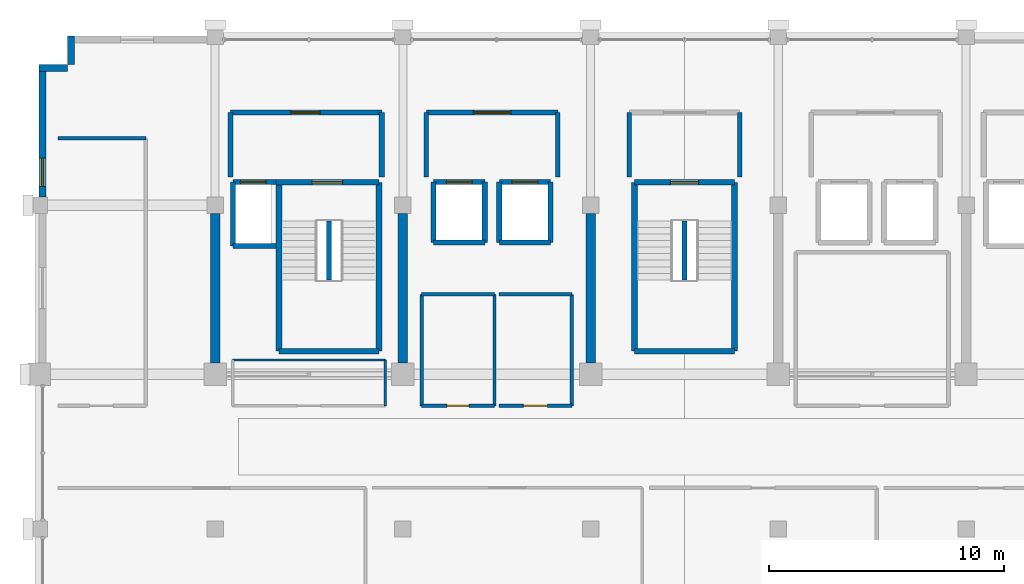
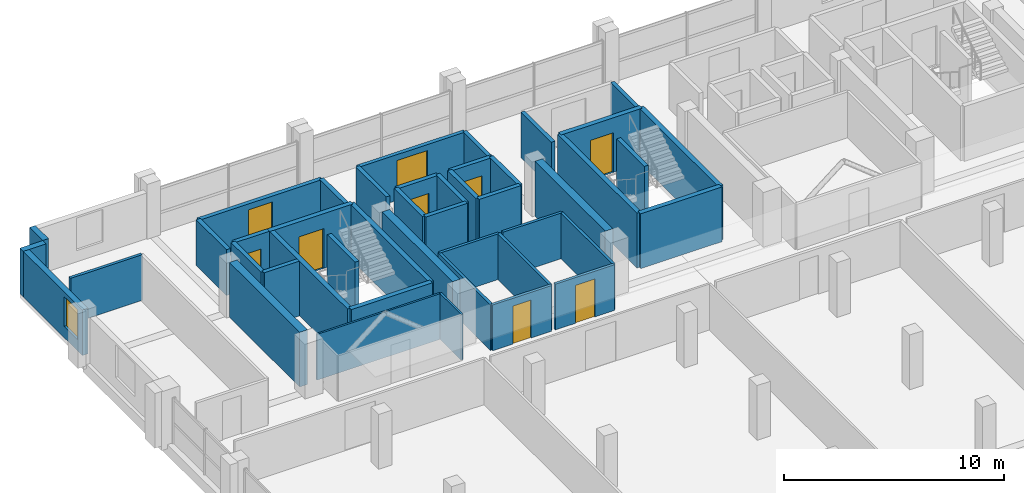
# One storey, part 22 of 25: 45 walls, 9 doors, 1 window, 10 openings.
"""IFC4 building model written with IfcOpenShell, lengths in metres."""

from ifc_helpers import new_model, si_unit, direction, frame, frame_2d, origin, place, context, subcontext, project, spatial, rectangle, extrude, material, layer, layer_set, type_object, element, fill, save


model = new_model("IFC4")

# Units and contexts
model_context = context("Model", 3, precision=1e-05, world=origin(), true_north=direction((0.0, 1.0)))
body_context = subcontext(model_context, "Body", "Model", "MODEL_VIEW")
ifc_project = project(units=[si_unit("LENGTHUNIT", "METRE"), si_unit("AREAUNIT", "SQUARE_METRE"), si_unit("VOLUMEUNIT", "CUBIC_METRE"), si_unit("PLANEANGLEUNIT", "RADIAN"), si_unit("MASSUNIT", "GRAM", prefix="KILO")], contexts=[model_context])

# Site, building, storey
site_placement = place(None, origin())
site = spatial("IfcSite", under=ifc_project, at=site_placement, CompositionType="ELEMENT")
building_placement = place(site_placement, origin())
building = spatial("IfcBuilding", under=site, at=building_placement, Name="Akrevak Sports Hall", CompositionType="ELEMENT")
storey_placement = place(building_placement, frame((0.0, 0.0, 50.300048828125)))
storey = spatial("IfcBuildingStorey", under=building, at=storey_placement, Name="L12", CompositionType="ELEMENT", Elevation=50.300048828125)

# Walls
ifc_material_1 = material(Name="Limestone Ashlar", Category="stone")
ifc_layer_1 = layer(ifc_material_1, 0.06005859375, Name="Limestone Ashlar")
ifc_material_2 = material(Name="Mineral Wool Thermal Insulation", Category="insulation")
ifc_layer_2 = layer(ifc_material_2, 0.090087890625, Name="Mineral Wool Thermal Insulation")
ifc_material_3 = material(Name="Concrete C40/50", Category="concrete")
ifc_layer_3 = layer(ifc_material_3, 0.14990234375, Name="Concrete C40/50")
ifc_layer_set_1 = layer_set([ifc_layer_1, ifc_layer_2, ifc_layer_3], Name="Limestone Ashlar / Mineral Wool Thermal Insulation / Concrete C40/50")
wall_type_1 = type_object("IfcWallType", Name="ARC-WL-EXT-300", PredefinedType="SOLIDWALL", material=ifc_layer_set_1)
wall_1_placement = place(storey_placement, frame((53.85009765625, 69.60009765625, 0.0), z_axis=(0.0, 0.0, 1.0), x_axis=(0.0, -1.0, 0.0)))
element("IfcWall", 1, at=wall_1_placement, inside=storey, type_object=wall_type_1, Name="Tower Stone Facade Wall L12-W26", PredefinedType="SOLIDWALL", context=body_context, shape_type="SweptSolid", body=[
    extrude(rectangle(XDim=1.2001953125, YDim=0.300048828125, at=frame_2d((0.60009765625, 0.0))), origin(), (0.0, 0.0, 1.0), 2.530029296875),
])
wall_2_placement = place(storey_placement, frame((53.699951171875, 68.25, 0.0), z_axis=(0.0, 0.0, 1.0), x_axis=(-1.0, 0.0, 0.0)))
element("IfcWall", 2, at=wall_2_placement, inside=storey, type_object=wall_type_1, Name="Tower Stone Facade Wall L12-N27", PredefinedType="SOLIDWALL", context=body_context, shape_type="SweptSolid", body=[
    extrude(rectangle(XDim=1.199951171875, YDim=0.300048828125, at=frame_2d((0.60009765625, 0.0))), origin(), (0.0, 0.0, 1.0), 2.530029296875),
])

# Wall, opening, window
wall_3_placement = place(storey_placement, frame((52.64990234375, 68.39990234375, 0.0), z_axis=(0.0, 0.0, 1.0), x_axis=(0.0, -1.0, 0.0)))
wall_3 = element("IfcWall", 3, at=wall_3_placement, inside=storey, type_object=wall_type_1, Name="Tower Stone Facade Wall L12-W28", PredefinedType="SOLIDWALL", context=body_context, shape_type="SweptSolid", body=[
    extrude(rectangle(XDim=5.64990234375, YDim=0.300048828125, at=frame_2d((2.824951171875, 0.0))), origin(), (0.0, 0.0, 1.0), 2.530029296875),
])
opening_1_placement = place(wall_3_placement, frame((4.0, 0.0, 0.6201171875)))
opening_1 = element("IfcOpeningElement", 4, at=opening_1_placement, cuts=wall_3, Name="Opening WN-45", PredefinedType="OPENING", context=body_context, shape_type="SweptSolid", body=[
    extrude(rectangle(XDim=1.199951171875, YDim=1.64990234375, at=frame_2d((0.60009765625, 0.824951171875))), frame((0.0, 0.162109375, 0.0), z_axis=(0.0, -1.0, 0.0), x_axis=(1.0, 0.0, 0.0)), (0.0, 0.0, 1.0), 0.323974609375),
])
ifc_material_4 = material(Name="Thermally Broken Bronze Frame & Double Low-E Glass", Category="glass")
window_type = type_object("IfcWindowType", Name="ARC-WIN-SZ-1200x1650", PartitioningType="SINGLE_PANEL", PredefinedType="WINDOW", material=ifc_material_4)
window_placement = place(opening_1_placement, origin())
window = element("IfcWindow", 5, at=window_placement, inside=storey, type_object=window_type, Name="Tower Window L12-W28", OverallHeight=1.64990234375, OverallWidth=1.199951171875, PartitioningType="SINGLE_PANEL", PredefinedType="WINDOW", context=body_context, shape_type="SweptSolid", body=[
    extrude(rectangle(XDim=1.199951171875, YDim=1.64990234375, at=frame_2d((0.60009765625, 0.824951171875))), frame((0.0, 0.030029296875, 0.0), z_axis=(0.0, -1.0, 0.0), x_axis=(1.0, 0.0, 0.0)), (0.0, 0.0, 1.0), 0.06005859375),
])
fill(opening_1, window)

# Walls
ifc_material_5 = material(Name="Sanitary Cubicle Partition", Category="gypsum")
ifc_layer_4 = layer(ifc_material_5, 0.10009765625, Name="Sanitary Cubicle Partition")
ifc_layer_set_2 = layer_set([ifc_layer_4], Name="Sanitary Cubicle Partition")
wall_type_2 = type_object("IfcWallType", Name="ARC-WL-PRT-100", PredefinedType="PARTITIONING", material=ifc_layer_set_2)
wall_4_placement = place(storey_placement, frame((60.75, 55.800048828125, 0.0), z_axis=(0.0, 0.0, 1.0), x_axis=(1.0, 0.0, 0.0)))
element("IfcWall", 6, at=wall_4_placement, inside=storey, type_object=wall_type_2, Name="Interior Partition Federation Technical Office L12-CW (N)", PredefinedType="PARTITIONING", context=body_context, shape_type="SweptSolid", body=[
    extrude(rectangle(XDim=6.5, YDim=0.10009765625, at=frame_2d((3.25, 0.0))), origin(), (0.0, 0.0, 1.0), 2.530029296875),
])
wall_5_placement = place(storey_placement, frame((67.25, 53.85009765625, 0.0), z_axis=(0.0, 0.0, 1.0), x_axis=(0.0, 1.0, 0.0)))
element("IfcWall", 7, at=wall_5_placement, inside=storey, type_object=wall_type_2, Name="Interior Partition Federation Technical Office L12-CW (E)", PredefinedType="PARTITIONING", context=body_context, shape_type="SweptSolid", body=[
    extrude(rectangle(XDim=1.949951171875, YDim=0.10009765625, at=frame_2d((0.97509765625, 0.0))), origin(), (0.0, 0.0, 1.0), 2.530029296875),
])

# Wall, opening, door
ifc_material_6 = material(Name="Moisture-Resistant Wet-Area Partition", Category="gypsum")
ifc_layer_5 = layer(ifc_material_6, 0.139892578125, Name="Moisture-Resistant Wet-Area Partition")
ifc_layer_set_3 = layer_set([ifc_layer_5], Name="Moisture-Resistant Wet-Area Partition")
wall_type_3 = type_object("IfcWallType", Name="ARC-WL-PRT-140", PredefinedType="PARTITIONING", material=ifc_layer_set_3)
wall_6_placement = place(storey_placement, frame((68.800048828125, 53.85009765625, 0.0), z_axis=(0.0, 0.0, 1.0), x_axis=(1.0, 0.0, 0.0)))
wall_6 = element("IfcWall", 8, at=wall_6_placement, inside=storey, type_object=wall_type_3, Name="Interior Partition Men WC L12 (S)", PredefinedType="PARTITIONING", context=body_context, shape_type="SweptSolid", body=[
    extrude(rectangle(XDim=3.099853515625, YDim=0.139892578125, at=frame_2d((1.5498046875, 0.0))), origin(), (0.0, 0.0, 1.0), 2.530029296875),
])
opening_2_placement = place(wall_6_placement, frame((1.074951171875, 0.0, 0.0)))
opening_2 = element("IfcOpeningElement", 9, at=opening_2_placement, cuts=wall_6, Name="Opening ID-08", PredefinedType="OPENING", context=body_context, shape_type="SweptSolid", body=[
    extrude(rectangle(XDim=0.949951171875, YDim=2.10009765625, at=frame_2d((0.47509765625, 1.050048828125))), frame((0.0, 0.08203125, 0.0), z_axis=(0.0, -1.0, 0.0), x_axis=(1.0, 0.0, 0.0)), (0.0, 0.0, 1.0), 0.163818359375),
])
ifc_material_7 = material(Name="High-Pressure Laminate & Aluminium", Category="aluminium")
door_type_1 = type_object("IfcDoorType", Name="ARC-DR-WC-095x210", OperationType="NOTDEFINED", PredefinedType="DOOR", material=ifc_material_7)
door_1_placement = place(opening_2_placement, origin())
door_1 = element("IfcDoor", 10, at=door_1_placement, inside=storey, type_object=door_type_1, Name="Door to Men WC L12", OperationType="SINGLE_SWING_LEFT", OverallHeight=2.10009765625, OverallWidth=0.949951171875, PredefinedType="DOOR", context=body_context, shape_type="SweptSolid", body=[
    extrude(rectangle(XDim=0.949951171875, YDim=2.10009765625, at=frame_2d((0.47509765625, 1.050048828125))), frame((0.0, 0.02490234375, 0.0), z_axis=(0.0, -1.0, 0.0), x_axis=(1.0, 0.0, 0.0)), (0.0, 0.0, 1.0), 0.050048828125),
])
fill(opening_2, door_1)

# Walls
wall_7_placement = place(storey_placement, frame((68.800048828125, 58.60009765625, 0.0), z_axis=(0.0, 0.0, 1.0), x_axis=(1.0, 0.0, 0.0)))
element("IfcWall", 11, at=wall_7_placement, inside=storey, type_object=wall_type_3, Name="Interior Partition Men WC L12 (N)", PredefinedType="PARTITIONING", context=body_context, shape_type="SweptSolid", body=[
    extrude(rectangle(XDim=3.099853515625, YDim=0.139892578125, at=frame_2d((1.5498046875, 0.0))), origin(), (0.0, 0.0, 1.0), 2.530029296875),
])
for number, where, z_axis, x_axis, name in (
    (12, (68.800048828125, 53.85009765625, 0.0), (0.0, 0.0, 1.0), (0.0, 1.0, 0.0), "Interior Partition Men WC L12 (W)"),
    (13, (71.89990234375, 53.85009765625, 0.0), (0.0, 0.0, 1.0), (0.0, 1.0, 0.0), "Interior Partition Men WC L12 (E)"),
):
    element("IfcWall", number, at=place(storey_placement, frame(where, z_axis=z_axis, x_axis=x_axis)), inside=storey, type_object=wall_type_3, Name=name, PredefinedType="PARTITIONING", context=body_context, shape_type="SweptSolid", body=[
        extrude(rectangle(XDim=4.75, YDim=0.139892578125, at=frame_2d((2.375, 0.0))), origin(), (0.0, 0.0, 1.0), 2.530029296875),
    ])

# Wall, opening, door
wall_8_placement = place(storey_placement, frame((72.10009765625, 53.85009765625, 0.0), z_axis=(0.0, 0.0, 1.0), x_axis=(1.0, 0.0, 0.0)))
wall_8 = element("IfcWall", 14, at=wall_8_placement, inside=storey, type_object=wall_type_3, Name="Interior Partition Accessible WC L12 (S)", PredefinedType="PARTITIONING", context=body_context, shape_type="SweptSolid", body=[
    extrude(rectangle(XDim=3.099853515625, YDim=0.139892578125, at=frame_2d((1.5498046875, 0.0))), origin(), (0.0, 0.0, 1.0), 2.530029296875),
])
opening_3_placement = place(wall_8_placement, frame((1.0400390625, 0.0, 0.0)))
opening_3 = element("IfcOpeningElement", 15, at=opening_3_placement, cuts=wall_8, Name="Opening ID-09", PredefinedType="OPENING", context=body_context, shape_type="SweptSolid", body=[
    extrude(rectangle(XDim=1.02001953125, YDim=2.10009765625, at=frame_2d((0.510009765625, 1.050048828125))), frame((0.0, 0.08203125, 0.0), z_axis=(0.0, -1.0, 0.0), x_axis=(1.0, 0.0, 0.0)), (0.0, 0.0, 1.0), 0.163818359375),
])
door_type_2 = type_object("IfcDoorType", Name="ARC-DR-AWC-102x210", OperationType="NOTDEFINED", PredefinedType="DOOR", material=ifc_material_7)
door_2_placement = place(opening_3_placement, frame((1.02001953125, 0.0, 0.0), z_axis=(0.0, 0.0, 1.0), x_axis=(-1.0, 0.0, 0.0)))
door_2 = element("IfcDoor", 16, at=door_2_placement, inside=storey, type_object=door_type_2, Name="Door to Accessible WC L12", OperationType="SINGLE_SWING_RIGHT", OverallHeight=2.10009765625, OverallWidth=1.02001953125, PredefinedType="DOOR", context=body_context, shape_type="SweptSolid", body=[
    extrude(rectangle(XDim=1.02001953125, YDim=2.10009765625, at=frame_2d((0.510009765625, 1.050048828125))), frame((0.0, 0.02490234375, 0.0), z_axis=(0.0, -1.0, 0.0), x_axis=(1.0, 0.0, 0.0)), (0.0, 0.0, 1.0), 0.050048828125),
])
fill(opening_3, door_2)

# Walls
wall_9_placement = place(storey_placement, frame((72.10009765625, 58.60009765625, 0.0), z_axis=(0.0, 0.0, 1.0), x_axis=(1.0, 0.0, 0.0)))
element("IfcWall", 17, at=wall_9_placement, inside=storey, type_object=wall_type_3, Name="Interior Partition Accessible WC L12 (N)", PredefinedType="PARTITIONING", context=body_context, shape_type="SweptSolid", body=[
    extrude(rectangle(XDim=3.099853515625, YDim=0.139892578125, at=frame_2d((1.5498046875, 0.0))), origin(), (0.0, 0.0, 1.0), 2.530029296875),
])
wall_10_placement = place(storey_placement, frame((75.199951171875, 53.85009765625, 0.0), z_axis=(0.0, 0.0, 1.0), x_axis=(0.0, 1.0, 0.0)))
element("IfcWall", 18, at=wall_10_placement, inside=storey, type_object=wall_type_3, Name="Interior Partition Accessible WC L12 (E)", PredefinedType="PARTITIONING", context=body_context, shape_type="SweptSolid", body=[
    extrude(rectangle(XDim=4.75, YDim=0.139892578125, at=frame_2d((2.375, 0.0))), origin(), (0.0, 0.0, 1.0), 2.530029296875),
])
ifc_material_8 = material(Name="Double Stud Acoustic Gypsum Partition", Category="gypsum")
ifc_layer_6 = layer(ifc_material_8, 0.14990234375, Name="Double Stud Acoustic Gypsum Partition")
ifc_layer_set_4 = layer_set([ifc_layer_6], Name="Double Stud Acoustic Gypsum Partition")
wall_type_4 = type_object("IfcWallType", Name="ARC-WL-PRT-150", PredefinedType="PARTITIONING", material=ifc_layer_set_4)
wall_11_placement = place(storey_placement, frame((53.300048828125, 65.25, 0.0), z_axis=(0.0, 0.0, 1.0), x_axis=(1.0, 0.0, 0.0)))
element("IfcWall", 19, at=wall_11_placement, inside=storey, type_object=wall_type_4, Name="Interior Partition Federation Research Office L12-W1 (N)", PredefinedType="PARTITIONING", context=body_context, shape_type="SweptSolid", body=[
    extrude(rectangle(XDim=3.75, YDim=0.14990234375, at=frame_2d((1.875, 0.0))), origin(), (0.0, 0.0, 1.0), 2.530029296875),
])

# Wall, opening, door
ifc_material_9 = material(Name="Autoclaved Aerated Masonry Block", Category="masonry")
ifc_layer_7 = layer(ifc_material_9, 0.199951171875, Name="Autoclaved Aerated Masonry Block")
ifc_layer_set_5 = layer_set([ifc_layer_7], Name="Autoclaved Aerated Masonry Block")
wall_type_5 = type_object("IfcWallType", Name="ARC-WL-PRT-200", PredefinedType="PARTITIONING", material=ifc_layer_set_5)
wall_12_placement = place(storey_placement, frame((69.0, 66.35009765625, 0.0), z_axis=(0.0, 0.0, 1.0), x_axis=(1.0, 0.0, 0.0)))
wall_12 = element("IfcWall", 20, at=wall_12_placement, inside=storey, type_object=wall_type_5, Name="Interior Partition West Passenger Lift Lobby L12 (N)", PredefinedType="PARTITIONING", context=body_context, shape_type="SweptSolid", body=[
    extrude(rectangle(XDim=5.60009765625, YDim=0.199951171875, at=frame_2d((2.800048828125, 0.0))), origin(), (0.0, 0.0, 1.0), 2.530029296875),
])
opening_4_placement = place(wall_12_placement, frame((2.0, 0.0, 0.0)))
opening_4 = element("IfcOpeningElement", 21, at=opening_4_placement, cuts=wall_12, Name="Opening ID-03", PredefinedType="OPENING", context=body_context, shape_type="SweptSolid", body=[
    extrude(rectangle(XDim=1.60009765625, YDim=2.199951171875, at=frame_2d((0.800048828125, 1.10009765625))), frame((0.0, 0.11181640625, 0.0), z_axis=(0.0, -1.0, 0.0), x_axis=(1.0, 0.0, 0.0)), (0.0, 0.0, 1.0), 0.223876953125),
])
ifc_material_10 = material(Name="Hardwood Oak & Safety Glass", Category="wood")
door_type_3 = type_object("IfcDoorType", Name="ARC-DR-HALL-160x220", OperationType="DOUBLE_DOOR_SINGLE_SWING", PredefinedType="DOOR", material=ifc_material_10)
door_3_placement = place(opening_4_placement, origin())
door_3 = element("IfcDoor", 22, at=door_3_placement, inside=storey, type_object=door_type_3, Name="Door to West Passenger Lift Lobby L12", OperationType="DOUBLE_DOOR_SINGLE_SWING", OverallHeight=2.199951171875, OverallWidth=1.60009765625, PredefinedType="DOOR", context=body_context, shape_type="SweptSolid", body=[
    extrude(rectangle(XDim=1.60009765625, YDim=2.199951171875, at=frame_2d((0.800048828125, 1.10009765625))), frame((0.0, 0.02490234375, 0.0), z_axis=(0.0, -1.0, 0.0), x_axis=(1.0, 0.0, 0.0)), (0.0, 0.0, 1.0), 0.050048828125),
])
fill(opening_4, door_3)

# Walls
for number, where, z_axis, x_axis, name in (
    (23, (69.0, 63.60009765625, 0.0), (0.0, 0.0, 1.0), (0.0, 1.0, 0.0), "Interior Partition West Passenger Lift Lobby L12 (W)"),
    (24, (74.60009765625, 63.60009765625, 0.0), (0.0, 0.0, 1.0), (0.0, 1.0, 0.0), "Interior Partition West Passenger Lift Lobby L12 (E)"),
    (25, (77.64990234375, 63.60009765625, 0.0), (0.0, 0.0, 1.0), (0.0, 1.0, 0.0), "Interior Partition Central Stair ST3 Vestibule L12 (W)"),
    (26, (82.35009765625, 63.60009765625, 0.0), (0.0, 0.0, 1.0), (0.0, 1.0, 0.0), "Interior Partition Central Stair ST3 Vestibule L12 (E)"),
):
    element("IfcWall", number, at=place(storey_placement, frame(where, z_axis=z_axis, x_axis=x_axis)), inside=storey, type_object=wall_type_5, Name=name, PredefinedType="PARTITIONING", context=body_context, shape_type="SweptSolid", body=[
        extrude(rectangle(XDim=2.75, YDim=0.199951171875, at=frame_2d((1.375, 0.0))), origin(), (0.0, 0.0, 1.0), 2.530029296875),
    ])
ifc_layer_8 = layer(ifc_material_3, 0.219970703125, Name="Concrete C40/50")
ifc_layer_set_6 = layer_set([ifc_layer_8], Name="Concrete C40/50")
wall_type_6 = type_object("IfcWallType", Name="ARC-WL-PRT-220", PredefinedType="PARTITIONING", material=ifc_layer_set_6)
for number, where, z_axis, x_axis, name in (
    (27, (64.85009765625, 59.215087890625, 0.0), (0.0, 0.0, 1.0), (0.0, 1.0, 0.0), "Stair ST1 Central Spine Wall (L12)"),
    (28, (80.0, 59.215087890625, 0.0), (0.0, 0.0, 1.0), (0.0, 1.0, 0.0), "Stair ST3 Central Spine Wall (L12)"),
):
    element("IfcWall", number, at=place(storey_placement, frame(where, z_axis=z_axis, x_axis=x_axis)), inside=storey, type_object=wall_type_6, Name=name, PredefinedType="PARTITIONING", context=body_context, shape_type="SweptSolid", body=[
        extrude(rectangle(XDim=2.52001953125, YDim=0.219970703125, at=frame_2d((1.260009765625, 0.0))), origin(), (0.0, 0.0, 1.0), 3.030029296875),
    ])

# Wall, opening, door
wall_13_placement = place(storey_placement, frame((60.64990234375, 66.35009765625, 0.0), z_axis=(0.0, 0.0, 1.0), x_axis=(1.0, 0.0, 0.0)))
wall_13 = element("IfcWall", 29, at=wall_13_placement, inside=storey, type_object=wall_type_6, Name="Interior Partition Firefighting Lobby West L12 (N)", PredefinedType="PARTITIONING", context=body_context, shape_type="SweptSolid", body=[
    extrude(rectangle(XDim=6.4501953125, YDim=0.219970703125, at=frame_2d((3.22509765625, 0.0))), origin(), (0.0, 0.0, 1.0), 2.530029296875),
])
opening_5_placement = place(wall_13_placement, frame((2.574951171875, 0.0, 0.0)))
opening_5 = element("IfcOpeningElement", 30, at=opening_5_placement, cuts=wall_13, Name="Opening FD-01", PredefinedType="OPENING", context=body_context, shape_type="SweptSolid", body=[
    extrude(rectangle(XDim=1.25, YDim=2.199951171875, at=frame_2d((0.625, 1.10009765625))), frame((0.0, 0.1220703125, 0.0), z_axis=(0.0, -1.0, 0.0), x_axis=(1.0, 0.0, 0.0)), (0.0, 0.0, 1.0), 0.243896484375),
])
ifc_material_11 = material(Name="Fire-Rated Galvanized Door Steel", Category="steel")
door_type_4 = type_object("IfcDoorType", Name="ARC-DR-FFL-125x220", OperationType="NOTDEFINED", PredefinedType="DOOR", material=ifc_material_11)
door_4_placement = place(opening_5_placement, frame((1.25, 0.0, 0.0), z_axis=(0.0, 0.0, 1.0), x_axis=(-1.0, 0.0, 0.0)))
door_4 = element("IfcDoor", 31, at=door_4_placement, inside=storey, type_object=door_type_4, Name="Door to Firefighting Lobby West L12", OperationType="SINGLE_SWING_LEFT", OverallHeight=2.199951171875, OverallWidth=1.25, PredefinedType="DOOR", context=body_context, shape_type="SweptSolid", body=[
    extrude(rectangle(XDim=1.25, YDim=2.199951171875, at=frame_2d((0.625, 1.10009765625))), frame((0.0, 0.02490234375, 0.0), z_axis=(0.0, -1.0, 0.0), x_axis=(1.0, 0.0, 0.0)), (0.0, 0.0, 1.0), 0.050048828125),
])
fill(opening_5, door_4)

# Walls
for number, where, z_axis, x_axis, name in (
    (32, (60.64990234375, 63.60009765625, 0.0), (0.0, 0.0, 1.0), (0.0, 1.0, 0.0), "Interior Partition Firefighting Lobby West L12 (W)"),
    (33, (67.10009765625, 63.60009765625, 0.0), (0.0, 0.0, 1.0), (0.0, 1.0, 0.0), "Interior Partition Firefighting Lobby West L12 (E)"),
):
    element("IfcWall", number, at=place(storey_placement, frame(where, z_axis=z_axis, x_axis=x_axis)), inside=storey, type_object=wall_type_6, Name=name, PredefinedType="PARTITIONING", context=body_context, shape_type="SweptSolid", body=[
        extrude(rectangle(XDim=2.75, YDim=0.219970703125, at=frame_2d((1.375, 0.0))), origin(), (0.0, 0.0, 1.0), 2.530029296875),
    ])
ifc_material_12 = material(Name="Concrete C50/60", Category="concrete")
ifc_layer_9 = layer(ifc_material_12, 0.219970703125, Name="Concrete C50/60")
ifc_layer_set_7 = layer_set([ifc_layer_9], Name="Concrete C50/60")
wall_type_7 = type_object("IfcWallType", Name="ARC-WL-SHAFT-220", PredefinedType="SHEAR", material=ifc_layer_set_7)
wall_14_placement = place(storey_placement, frame((60.760009765625, 60.659912109375, 0.0), z_axis=(0.0, 0.0, 1.0), x_axis=(1.0, 0.0, 0.0)))
element("IfcWall", 34, at=wall_14_placement, inside=storey, type_object=wall_type_7, Name="Lift Shaft LF-FF1 Wall S (L12)", PredefinedType="SHEAR", context=body_context, shape_type="SweptSolid", body=[
    extrude(rectangle(XDim=1.840087890625, YDim=0.219970703125, at=frame_2d((0.919921875, 0.0))), origin(), (0.0, 0.0, 1.0), 3.030029296875),
])

# Wall, opening, door
wall_15_placement = place(storey_placement, frame((62.60009765625, 63.389892578125, 0.0), z_axis=(0.0, 0.0, 1.0), x_axis=(-1.0, 0.0, 0.0)))
wall_15 = element("IfcWall", 35, at=wall_15_placement, inside=storey, type_object=wall_type_7, Name="Lift Shaft LF-FF1 Wall N (L12)", PredefinedType="SHEAR", context=body_context, shape_type="SweptSolid", body=[
    extrude(rectangle(XDim=1.840087890625, YDim=0.219970703125, at=frame_2d((0.919921875, 0.0))), origin(), (0.0, 0.0, 1.0), 3.030029296875),
])
opening_6_placement = place(wall_15_placement, frame((0.425048828125, 0.0, 0.0)))
opening_6 = element("IfcOpeningElement", 36, at=opening_6_placement, cuts=wall_15, Name="Opening LD-01", PredefinedType="OPENING", context=body_context, shape_type="SweptSolid", body=[
    extrude(rectangle(XDim=1.10009765625, YDim=2.199951171875, at=frame_2d((0.550048828125, 1.10009765625))), frame((0.0, 0.1220703125, 0.0), z_axis=(0.0, -1.0, 0.0), x_axis=(1.0, 0.0, 0.0)), (0.0, 0.0, 1.0), 0.243896484375),
])
ifc_material_13 = material(Name="Brushed Stainless Steel 304", Category="steel")
door_type_5 = type_object("IfcDoorType", Name="ARC-DR-LD-110x220", OperationType="SLIDING_TO_LEFT", PredefinedType="DOOR", material=ifc_material_13)
door_5_placement = place(opening_6_placement, origin())
door_5 = element("IfcDoor", 37, at=door_5_placement, inside=storey, type_object=door_type_5, Name="Lift LF-FF1 Sliding Landing Door (L12)", OperationType="SLIDING_TO_LEFT", OverallHeight=2.199951171875, OverallWidth=1.10009765625, PredefinedType="DOOR", context=body_context, shape_type="SweptSolid", body=[
    extrude(rectangle(XDim=1.10009765625, YDim=2.199951171875, at=frame_2d((0.550048828125, 1.10009765625))), frame((0.0, 0.02490234375, 0.0), z_axis=(0.0, -1.0, 0.0), x_axis=(1.0, 0.0, 0.0)), (0.0, 0.0, 1.0), 0.050048828125),
])
fill(opening_6, door_5)

# Walls
wall_16_placement = place(storey_placement, frame((60.760009765625, 63.389892578125, 0.0), z_axis=(0.0, 0.0, 1.0), x_axis=(0.0, -1.0, 0.0)))
element("IfcWall", 38, at=wall_16_placement, inside=storey, type_object=wall_type_7, Name="Lift Shaft LF-FF1 Wall W (L12)", PredefinedType="SHEAR", context=body_context, shape_type="SweptSolid", body=[
    extrude(rectangle(XDim=2.72998046875, YDim=0.219970703125, at=frame_2d((1.364990234375, 0.0))), origin(), (0.0, 0.0, 1.0), 3.030029296875),
])
wall_17_placement = place(storey_placement, frame((69.31005859375, 60.81005859375, 0.0), z_axis=(0.0, 0.0, 1.0), x_axis=(1.0, 0.0, 0.0)))
element("IfcWall", 39, at=wall_17_placement, inside=storey, type_object=wall_type_7, Name="Lift Shaft LF-P1 Wall S (L12)", PredefinedType="SHEAR", context=body_context, shape_type="SweptSolid", body=[
    extrude(rectangle(XDim=2.179931640625, YDim=0.219970703125, at=frame_2d((1.08984375, 0.0))), origin(), (0.0, 0.0, 1.0), 3.030029296875),
])

# Wall, opening, door
wall_18_placement = place(storey_placement, frame((71.489990234375, 63.389892578125, 0.0), z_axis=(0.0, 0.0, 1.0), x_axis=(-1.0, 0.0, 0.0)))
wall_18 = element("IfcWall", 40, at=wall_18_placement, inside=storey, type_object=wall_type_7, Name="Lift Shaft LF-P1 Wall N (L12)", PredefinedType="SHEAR", context=body_context, shape_type="SweptSolid", body=[
    extrude(rectangle(XDim=2.179931640625, YDim=0.219970703125, at=frame_2d((1.08984375, 0.0))), origin(), (0.0, 0.0, 1.0), 3.030029296875),
])
opening_7_placement = place(wall_18_placement, frame((0.5400390625, 0.0, 0.0)))
opening_7 = element("IfcOpeningElement", 41, at=opening_7_placement, cuts=wall_18, Name="Opening LD-01", PredefinedType="OPENING", context=body_context, shape_type="SweptSolid", body=[
    extrude(rectangle(XDim=1.10009765625, YDim=2.199951171875, at=frame_2d((0.550048828125, 1.10009765625))), frame((0.0, 0.1220703125, 0.0), z_axis=(0.0, -1.0, 0.0), x_axis=(1.0, 0.0, 0.0)), (0.0, 0.0, 1.0), 0.243896484375),
])
door_6_placement = place(opening_7_placement, origin())
door_6 = element("IfcDoor", 42, at=door_6_placement, inside=storey, type_object=door_type_5, Name="Lift LF-P1 Sliding Landing Door (L12)", OperationType="SLIDING_TO_LEFT", OverallHeight=2.199951171875, OverallWidth=1.10009765625, PredefinedType="DOOR", context=body_context, shape_type="SweptSolid", body=[
    extrude(rectangle(XDim=1.10009765625, YDim=2.199951171875, at=frame_2d((0.550048828125, 1.10009765625))), frame((0.0, 0.02490234375, 0.0), z_axis=(0.0, -1.0, 0.0), x_axis=(1.0, 0.0, 0.0)), (0.0, 0.0, 1.0), 0.050048828125),
])
fill(opening_7, door_6)

# Walls
for number, where, z_axis, x_axis, name in (
    (43, (69.31005859375, 63.389892578125, 0.0), (0.0, 0.0, 1.0), (0.0, -1.0, 0.0), "Lift Shaft LF-P1 Wall W (L12)"),
    (44, (71.489990234375, 60.81005859375, 0.0), (0.0, 0.0, 1.0), (0.0, 1.0, 0.0), "Lift Shaft LF-P1 Wall E (L12)"),
):
    element("IfcWall", number, at=place(storey_placement, frame(where, z_axis=z_axis, x_axis=x_axis)), inside=storey, type_object=wall_type_7, Name=name, PredefinedType="SHEAR", context=body_context, shape_type="SweptSolid", body=[
        extrude(rectangle(XDim=2.579833984375, YDim=0.219970703125, at=frame_2d((1.2900390625, 0.0))), origin(), (0.0, 0.0, 1.0), 3.030029296875),
    ])
wall_19_placement = place(storey_placement, frame((72.110107421875, 60.81005859375, 0.0), z_axis=(0.0, 0.0, 1.0), x_axis=(1.0, 0.0, 0.0)))
element("IfcWall", 45, at=wall_19_placement, inside=storey, type_object=wall_type_7, Name="Lift Shaft LF-P2 Wall S (L12)", PredefinedType="SHEAR", context=body_context, shape_type="SweptSolid", body=[
    extrude(rectangle(XDim=2.179931640625, YDim=0.219970703125, at=frame_2d((1.08984375, 0.0))), origin(), (0.0, 0.0, 1.0), 3.030029296875),
])

# Wall, opening, door
wall_20_placement = place(storey_placement, frame((74.2900390625, 63.389892578125, 0.0), z_axis=(0.0, 0.0, 1.0), x_axis=(-1.0, 0.0, 0.0)))
wall_20 = element("IfcWall", 46, at=wall_20_placement, inside=storey, type_object=wall_type_7, Name="Lift Shaft LF-P2 Wall N (L12)", PredefinedType="SHEAR", context=body_context, shape_type="SweptSolid", body=[
    extrude(rectangle(XDim=2.179931640625, YDim=0.219970703125, at=frame_2d((1.08984375, 0.0))), origin(), (0.0, 0.0, 1.0), 3.030029296875),
])
opening_8_placement = place(wall_20_placement, frame((0.5400390625, 0.0, 0.0)))
opening_8 = element("IfcOpeningElement", 47, at=opening_8_placement, cuts=wall_20, Name="Opening LD-01", PredefinedType="OPENING", context=body_context, shape_type="SweptSolid", body=[
    extrude(rectangle(XDim=1.10009765625, YDim=2.199951171875, at=frame_2d((0.550048828125, 1.10009765625))), frame((0.0, 0.1220703125, 0.0), z_axis=(0.0, -1.0, 0.0), x_axis=(1.0, 0.0, 0.0)), (0.0, 0.0, 1.0), 0.243896484375),
])
door_7_placement = place(opening_8_placement, origin())
door_7 = element("IfcDoor", 48, at=door_7_placement, inside=storey, type_object=door_type_5, Name="Lift LF-P2 Sliding Landing Door (L12)", OperationType="SLIDING_TO_LEFT", OverallHeight=2.199951171875, OverallWidth=1.10009765625, PredefinedType="DOOR", context=body_context, shape_type="SweptSolid", body=[
    extrude(rectangle(XDim=1.10009765625, YDim=2.199951171875, at=frame_2d((0.550048828125, 1.10009765625))), frame((0.0, 0.02490234375, 0.0), z_axis=(0.0, -1.0, 0.0), x_axis=(1.0, 0.0, 0.0)), (0.0, 0.0, 1.0), 0.050048828125),
])
fill(opening_8, door_7)

# Walls
for number, where, z_axis, x_axis, name in (
    (49, (72.110107421875, 63.389892578125, 0.0), (0.0, 0.0, 1.0), (0.0, -1.0, 0.0), "Lift Shaft LF-P2 Wall W (L12)"),
    (50, (74.2900390625, 60.81005859375, 0.0), (0.0, 0.0, 1.0), (0.0, 1.0, 0.0), "Lift Shaft LF-P2 Wall E (L12)"),
):
    element("IfcWall", number, at=place(storey_placement, frame(where, z_axis=z_axis, x_axis=x_axis)), inside=storey, type_object=wall_type_7, Name=name, PredefinedType="SHEAR", context=body_context, shape_type="SweptSolid", body=[
        extrude(rectangle(XDim=2.579833984375, YDim=0.219970703125, at=frame_2d((1.2900390625, 0.0))), origin(), (0.0, 0.0, 1.0), 3.030029296875),
    ])
ifc_layer_10 = layer(ifc_material_12, 0.39990234375, Name="Concrete C50/60")
ifc_layer_set_8 = layer_set([ifc_layer_10], Name="Concrete C50/60")
wall_type_8 = type_object("IfcWallType", Name="STR-WL-CORE-400", PredefinedType="SHEAR", material=ifc_layer_set_8)
for number, where, z_axis, x_axis, name in (
    (51, (60.0, 55.675048828125, 0.0), (0.0, 0.0, 1.0), (0.0, 1.0, 0.0), "Reinforced Concrete Shear Wall SW-W2 (L12)"),
    (52, (68.0, 55.675048828125, 0.0), (0.0, 0.0, 1.0), (0.0, 1.0, 0.0), "Reinforced Concrete Shear Wall SW-C1 (L12)"),
    (53, (76.0, 55.675048828125, 0.0), (0.0, 0.0, 1.0), (0.0, 1.0, 0.0), "Reinforced Concrete Shear Wall SW-W1 (L12)"),
):
    element("IfcWall", number, at=place(storey_placement, frame(where, z_axis=z_axis, x_axis=x_axis)), inside=storey, type_object=wall_type_8, Name=name, PredefinedType="SHEAR", context=body_context, shape_type="SweptSolid", body=[
        extrude(rectangle(XDim=6.375, YDim=0.39990234375, at=frame_2d((3.1875, 0.0))), origin(), (0.0, 0.0, 1.0), 3.030029296875),
    ])
ifc_layer_11 = layer(ifc_material_12, 0.25, Name="Concrete C50/60")
ifc_layer_set_9 = layer_set([ifc_layer_11], Name="Concrete C50/60")
wall_type_9 = type_object("IfcWallType", Name="STR-WL-STAIR-250", PredefinedType="SHEAR", material=ifc_layer_set_9)
wall_21_placement = place(storey_placement, frame((62.72509765625, 56.175048828125, 0.0), z_axis=(0.0, 0.0, 1.0), x_axis=(1.0, 0.0, 0.0)))
element("IfcWall", 54, at=wall_21_placement, inside=storey, type_object=wall_type_9, Name="Stair Core ST1 Shear Wall S (L12)", PredefinedType="SHEAR", context=body_context, shape_type="SweptSolid", body=[
    extrude(rectangle(XDim=4.25, YDim=0.25, at=frame_2d((2.125, 0.0))), origin(), (0.0, 0.0, 1.0), 3.030029296875),
])

# Wall, opening, door
wall_22_placement = place(storey_placement, frame((66.97509765625, 63.375, 0.0), z_axis=(0.0, 0.0, 1.0), x_axis=(-1.0, 0.0, 0.0)))
wall_22 = element("IfcWall", 55, at=wall_22_placement, inside=storey, type_object=wall_type_9, Name="Stair Core ST1 Shear Wall N (L12)", PredefinedType="SHEAR", context=body_context, shape_type="SweptSolid", body=[
    extrude(rectangle(XDim=4.375, YDim=0.25, at=frame_2d((2.1875, 0.0))), origin(), (0.0, 0.0, 1.0), 3.030029296875),
])
opening_9_placement = place(wall_22_placement, frame((1.53759765625, 0.0, 0.0)))
opening_9 = element("IfcOpeningElement", 56, at=opening_9_placement, cuts=wall_22, Name="Opening SD-01", PredefinedType="OPENING", context=body_context, shape_type="SweptSolid", body=[
    extrude(rectangle(XDim=1.300048828125, YDim=2.199951171875, at=frame_2d((0.64990234375, 1.10009765625))), frame((0.0, 0.136962890625, 0.0), z_axis=(0.0, -1.0, 0.0), x_axis=(1.0, 0.0, 0.0)), (0.0, 0.0, 1.0), 0.27392578125),
])
door_type_6 = type_object("IfcDoorType", Name="ARC-DR-STAIR-130x220", OperationType="NOTDEFINED", PredefinedType="DOOR", material=ifc_material_11)
door_8_placement = place(opening_9_placement, origin())
door_8 = element("IfcDoor", 57, at=door_8_placement, inside=storey, type_object=door_type_6, Name="Exit Stair ST1 Door (L12)", OperationType="SINGLE_SWING_RIGHT", OverallHeight=2.199951171875, OverallWidth=1.300048828125, PredefinedType="DOOR", context=body_context, shape_type="SweptSolid", body=[
    extrude(rectangle(XDim=1.300048828125, YDim=2.199951171875, at=frame_2d((0.64990234375, 1.10009765625))), frame((0.0, 0.02490234375, 0.0), z_axis=(0.0, -1.0, 0.0), x_axis=(1.0, 0.0, 0.0)), (0.0, 0.0, 1.0), 0.050048828125),
])
fill(opening_9, door_8)

# Walls
wall_23_placement = place(storey_placement, frame((62.72509765625, 63.25, 0.0), z_axis=(0.0, 0.0, 1.0), x_axis=(0.0, -1.0, 0.0)))
element("IfcWall", 58, at=wall_23_placement, inside=storey, type_object=wall_type_9, Name="Stair Core ST1 Shear Wall W (L12)", PredefinedType="SHEAR", context=body_context, shape_type="SweptSolid", body=[
    extrude(rectangle(XDim=7.074951171875, YDim=0.25, at=frame_2d((3.53759765625, 0.0))), origin(), (0.0, 0.0, 1.0), 3.030029296875),
])
wall_24_placement = place(storey_placement, frame((66.97509765625, 56.175048828125, 0.0), z_axis=(0.0, 0.0, 1.0), x_axis=(0.0, 1.0, 0.0)))
element("IfcWall", 59, at=wall_24_placement, inside=storey, type_object=wall_type_9, Name="Stair Core ST1 Shear Wall E (L12)", PredefinedType="SHEAR", context=body_context, shape_type="SweptSolid", body=[
    extrude(rectangle(XDim=7.199951171875, YDim=0.25, at=frame_2d((3.60009765625, 0.0))), origin(), (0.0, 0.0, 1.0), 3.030029296875),
])
wall_25_placement = place(storey_placement, frame((77.875, 56.175048828125, 0.0), z_axis=(0.0, 0.0, 1.0), x_axis=(1.0, 0.0, 0.0)))
element("IfcWall", 60, at=wall_25_placement, inside=storey, type_object=wall_type_9, Name="Stair Core ST3 Shear Wall S (L12)", PredefinedType="SHEAR", context=body_context, shape_type="SweptSolid", body=[
    extrude(rectangle(XDim=4.25, YDim=0.25, at=frame_2d((2.125, 0.0))), origin(), (0.0, 0.0, 1.0), 3.030029296875),
])

# Wall, opening, door
wall_26_placement = place(storey_placement, frame((82.125, 63.375, 0.0), z_axis=(0.0, 0.0, 1.0), x_axis=(-1.0, 0.0, 0.0)))
wall_26 = element("IfcWall", 61, at=wall_26_placement, inside=storey, type_object=wall_type_9, Name="Stair Core ST3 Shear Wall N (L12)", PredefinedType="SHEAR", context=body_context, shape_type="SweptSolid", body=[
    extrude(rectangle(XDim=4.25, YDim=0.25, at=frame_2d((2.125, 0.0))), origin(), (0.0, 0.0, 1.0), 3.030029296875),
])
opening_10_placement = place(wall_26_placement, frame((1.52490234375, 0.0, 0.0)))
opening_10 = element("IfcOpeningElement", 62, at=opening_10_placement, cuts=wall_26, Name="Opening SD-02", PredefinedType="OPENING", context=body_context, shape_type="SweptSolid", body=[
    extrude(rectangle(XDim=1.199951171875, YDim=2.199951171875, at=frame_2d((0.60009765625, 1.10009765625))), frame((0.0, 0.136962890625, 0.0), z_axis=(0.0, -1.0, 0.0), x_axis=(1.0, 0.0, 0.0)), (0.0, 0.0, 1.0), 0.27392578125),
])
door_type_7 = type_object("IfcDoorType", Name="ARC-DR-STAIR-120x220", OperationType="NOTDEFINED", PredefinedType="DOOR", material=ifc_material_11)
door_9_placement = place(opening_10_placement, origin())
door_9 = element("IfcDoor", 63, at=door_9_placement, inside=storey, type_object=door_type_7, Name="Exit Stair ST3 Door (L12)", OperationType="SINGLE_SWING_RIGHT", OverallHeight=2.199951171875, OverallWidth=1.199951171875, PredefinedType="DOOR", context=body_context, shape_type="SweptSolid", body=[
    extrude(rectangle(XDim=1.199951171875, YDim=2.199951171875, at=frame_2d((0.60009765625, 1.10009765625))), frame((0.0, 0.02490234375, 0.0), z_axis=(0.0, -1.0, 0.0), x_axis=(1.0, 0.0, 0.0)), (0.0, 0.0, 1.0), 0.050048828125),
])
fill(opening_10, door_9)

# Walls
for number, where, z_axis, x_axis, name in (
    (64, (77.875, 63.375, 0.0), (0.0, 0.0, 1.0), (0.0, -1.0, 0.0), "Stair Core ST3 Shear Wall W (L12)"),
    (65, (82.125, 56.175048828125, 0.0), (0.0, 0.0, 1.0), (0.0, 1.0, 0.0), "Stair Core ST3 Shear Wall E (L12)"),
):
    element("IfcWall", number, at=place(storey_placement, frame(where, z_axis=z_axis, x_axis=x_axis)), inside=storey, type_object=wall_type_9, Name=name, PredefinedType="SHEAR", context=body_context, shape_type="SweptSolid", body=[
        extrude(rectangle(XDim=7.199951171875, YDim=0.25, at=frame_2d((3.60009765625, 0.0))), origin(), (0.0, 0.0, 1.0), 3.030029296875),
    ])

save(model, "model.ifc")
